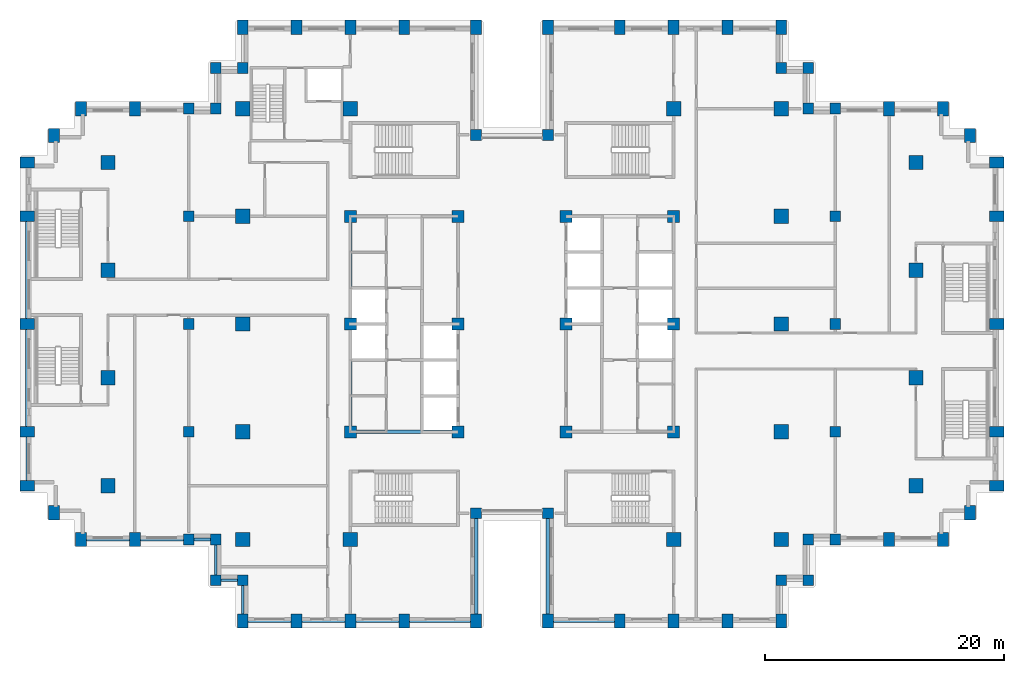
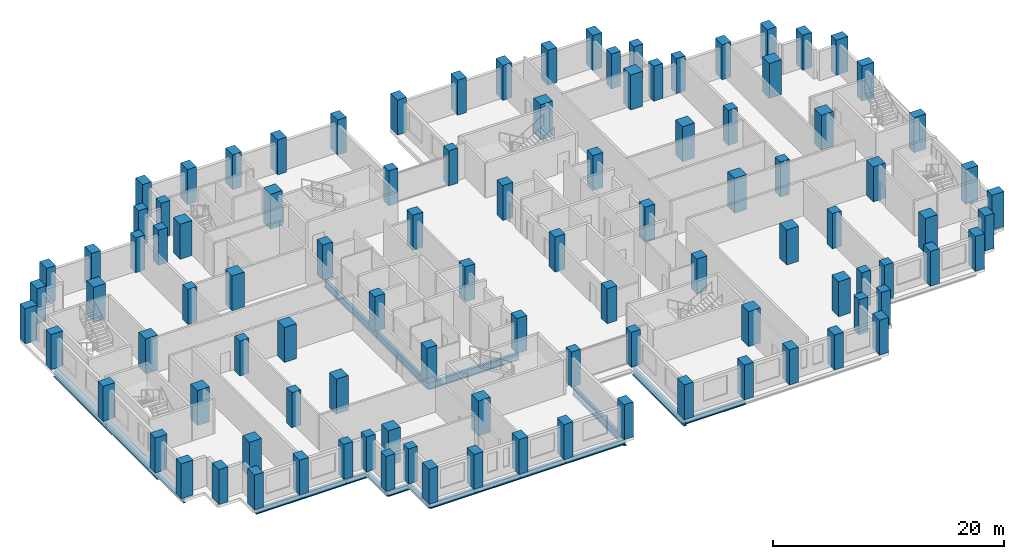
# One storey, part 1 of 15: 102 columns, 19 beams.
"""IFC4 building model written with IfcOpenShell, lengths in metres."""

from ifc_helpers import new_model, si_unit, direction, frame, origin, origin_2d, place, context, subcontext, project, spatial, rectangle, i_section, extrude, material, material_profile, profile_set, type_object, element, save


model = new_model("IFC4")

# Units and contexts
model_context = context("Model", 3, precision=1e-05, world=origin(), true_north=direction((0.0, 1.0)))
body_context = subcontext(model_context, "Body", "Model", "MODEL_VIEW")
ifc_project = project(units=[si_unit("LENGTHUNIT", "METRE"), si_unit("AREAUNIT", "SQUARE_METRE"), si_unit("VOLUMEUNIT", "CUBIC_METRE"), si_unit("PLANEANGLEUNIT", "RADIAN"), si_unit("MASSUNIT", "GRAM", prefix="KILO")], contexts=[model_context])

# Site, building, storey
site_placement = place(None, origin())
site = spatial("IfcSite", under=ifc_project, at=site_placement, CompositionType="ELEMENT")
building_placement = place(site_placement, origin())
building = spatial("IfcBuilding", under=site, at=building_placement, Name="Corbelhall Arena Tower", CompositionType="ELEMENT")
storey_placement = place(building_placement, frame((0.0, 0.0, 84.0)))
storey = spatial("IfcBuildingStorey", under=building, at=storey_placement, Name="L13", CompositionType="ELEMENT", Elevation=84.0)

# Columns
ifc_material_1 = material(Name="Concrete C80/95", Category="concrete")
ifc_material_profile_1 = material_profile(ifc_material_1, rectangle(XDim=1.0, YDim=1.0, at=origin_2d()))
ifc_profile_set_1 = profile_set([ifc_material_profile_1], Name="Concrete C80/95")
column_type_1 = type_object("IfcColumnType", Name="ST-COL-RC 1000x1000", PredefinedType="COLUMN", material=ifc_profile_set_1)
for number, where, z_axis, x_axis, name in (
    (1, (4.5, 0.0, 0.0), (0.0, 0.0, 1.0), (1.0, 0.0, 0.0), "Column KE+0450+0000"),
    (2, (4.5, 9.0, 0.0), (0.0, 0.0, 1.0), (1.0, 0.0, 0.0), "Column KE+0450+0900"),
    (3, (4.5, -9.0, 0.0), (0.0, 0.0, 1.0), (1.0, 0.0, 0.0), "Column KE+0450-0900"),
    (4, (13.5, 0.0, 0.0), (0.0, 0.0, 1.0), (1.0, 0.0, 0.0), "Column KE+1350+0000"),
    (5, (13.5, 9.0, 0.0), (0.0, 0.0, 1.0), (1.0, 0.0, 0.0), "Column KE+1350+0900"),
    (6, (13.5, -9.0, 0.0), (0.0, 0.0, 1.0), (1.0, 0.0, 0.0), "Column KE+1350-0900"),
    (7, (-4.5, 0.0, 0.0), (0.0, 0.0, 1.0), (1.0, 0.0, 0.0), "Column KW-0450+0000"),
    (8, (-4.5, 9.0, 0.0), (0.0, 0.0, 1.0), (1.0, 0.0, 0.0), "Column KW-0450+0900"),
    (9, (-4.5, -9.0, 0.0), (0.0, 0.0, 1.0), (1.0, 0.0, 0.0), "Column KW-0450-0900"),
    (10, (-13.5, 0.0, 0.0), (0.0, 0.0, 1.0), (1.0, 0.0, 0.0), "Column KW-1350+0000"),
    (11, (-13.5, 9.0, 0.0), (0.0, 0.0, 1.0), (1.0, 0.0, 0.0), "Column KW-1350+0900"),
    (12, (-13.5, -9.0, 0.0), (0.0, 0.0, 1.0), (1.0, 0.0, 0.0), "Column KW-1350-0900"),
):
    element("IfcColumn", number, at=place(storey_placement, frame(where, z_axis=z_axis, x_axis=x_axis)), inside=storey, type_object=column_type_1, Name=name, PredefinedType="COLUMN", context=body_context, shape_type="SweptSolid", body=[
        extrude(rectangle(XDim=1.0, YDim=1.0, at=origin_2d()), origin(), (0.0, 0.0, 1.0), 3.699951171875),
    ])
ifc_material_profile_2 = material_profile(ifc_material_1, rectangle(XDim=1.199951171875, YDim=1.199951171875, at=origin_2d()))
ifc_profile_set_2 = profile_set([ifc_material_profile_2], Name="Concrete C80/95")
column_type_2 = type_object("IfcColumnType", Name="ST-COL-RC 1200x1200", PredefinedType="COLUMN", material=ifc_profile_set_2)
for number, where, z_axis, x_axis, name in (
    (13, (-33.75, 4.5, 0.0), (0.0, 0.0, 1.0), (1.0, 0.0, 0.0), "Column FIC+0450"),
    (14, (-33.75, 13.5, 0.0), (0.0, 0.0, 1.0), (1.0, 0.0, 0.0), "Column FIC+1350"),
    (15, (-33.75, -4.5, 0.0), (0.0, 0.0, 1.0), (1.0, 0.0, 0.0), "Column FIC-0450"),
    (16, (-33.75, -13.5, 0.0), (0.0, 0.0, 1.0), (1.0, 0.0, 0.0), "Column FIC-1350"),
    (17, (33.75, 4.5, 0.0), (0.0, 0.0, 1.0), (1.0, 0.0, 0.0), "Column FID+0450"),
    (18, (33.75, 13.5, 0.0), (0.0, 0.0, 1.0), (1.0, 0.0, 0.0), "Column FID+1350"),
    (19, (33.75, -4.5, 0.0), (0.0, 0.0, 1.0), (1.0, 0.0, 0.0), "Column FID-0450"),
    (20, (33.75, -13.5, 0.0), (0.0, 0.0, 1.0), (1.0, 0.0, 0.0), "Column FID-1350"),
    (21, (13.5, 18.0, 0.0), (0.0, 0.0, 1.0), (1.0, 0.0, 0.0), "Column IE13+1800"),
    (22, (13.5, -18.0, 0.0), (0.0, 0.0, 1.0), (1.0, 0.0, 0.0), "Column IE13-1800"),
    (23, (22.5, 0.0, 0.0), (0.0, 0.0, 1.0), (1.0, 0.0, 0.0), "Column IE22+0000"),
    (24, (22.5, 9.0, 0.0), (0.0, 0.0, 1.0), (1.0, 0.0, 0.0), "Column IE22+0900"),
    (25, (22.5, 18.0, 0.0), (0.0, 0.0, 1.0), (1.0, 0.0, 0.0), "Column IE22+1800"),
    (26, (22.5, -9.0, 0.0), (0.0, 0.0, 1.0), (1.0, 0.0, 0.0), "Column IE22-0900"),
    (27, (22.5, -18.0, 0.0), (0.0, 0.0, 1.0), (1.0, 0.0, 0.0), "Column IE22-1800"),
    (28, (-13.5, 18.0, 0.0), (0.0, 0.0, 1.0), (1.0, 0.0, 0.0), "Column IW13+1800"),
    (29, (-13.5, -18.0, 0.0), (0.0, 0.0, 1.0), (1.0, 0.0, 0.0), "Column IW13-1800"),
    (30, (-22.5, 0.0, 0.0), (0.0, 0.0, 1.0), (1.0, 0.0, 0.0), "Column IW22+0000"),
    (31, (-22.5, 9.0, 0.0), (0.0, 0.0, 1.0), (1.0, 0.0, 0.0), "Column IW22+0900"),
    (32, (-22.5, 18.0, 0.0), (0.0, 0.0, 1.0), (1.0, 0.0, 0.0), "Column IW22+1800"),
    (33, (-22.5, -9.0, 0.0), (0.0, 0.0, 1.0), (1.0, 0.0, 0.0), "Column IW22-0900"),
    (34, (-22.5, -18.0, 0.0), (0.0, 0.0, 1.0), (1.0, 0.0, 0.0), "Column IW22-1800"),
):
    element("IfcColumn", number, at=place(storey_placement, frame(where, z_axis=z_axis, x_axis=x_axis)), inside=storey, type_object=column_type_2, Name=name, PredefinedType="COLUMN", context=body_context, shape_type="SweptSolid", body=[
        extrude(rectangle(XDim=1.199951171875, YDim=1.199951171875, at=origin_2d()), origin(), (0.0, 0.0, 1.0), 3.699951171875),
    ])
ifc_material_profile_3 = material_profile(ifc_material_1, rectangle(XDim=0.89990234375, YDim=1.199951171875, at=origin_2d()))
ifc_profile_set_3 = profile_set([ifc_material_profile_3], Name="Concrete C80/95")
column_type_3 = type_object("IfcColumnType", Name="ST-COL-RC 900x1200", PredefinedType="COLUMN", material=ifc_profile_set_3)
for number, where, z_axis, x_axis, name in (
    (35, (-40.5, 0.0, 0.0), (0.0, 0.0, 1.0), (0.0, 1.0, 0.0), "Column FC+0000"),
    (36, (-40.5, 9.0, 0.0), (0.0, 0.0, 1.0), (0.0, 1.0, 0.0), "Column FC+0900"),
    (37, (-40.5, 13.5, 0.0), (0.0, 0.0, 1.0), (0.0, 1.0, 0.0), "Column FC+1350"),
    (38, (-40.5, -9.0, 0.0), (0.0, 0.0, 1.0), (0.0, 1.0, 0.0), "Column FC-0900"),
    (39, (-40.5, -13.5, 0.0), (0.0, 0.0, 1.0), (0.0, 1.0, 0.0), "Column FC-1350"),
    (40, (-38.25, 15.75, 0.0), (0.0, 0.0, 1.0), (1.0, 0.0, 0.0), "Column FCCN"),
    (41, (-38.25, -15.75, 0.0), (0.0, 0.0, 1.0), (1.0, 0.0, 0.0), "Column FCCS"),
    (42, (-31.5, 18.0, 0.0), (0.0, 0.0, 1.0), (1.0, 0.0, 0.0), "Column FCN3150"),
    (43, (-36.0, 18.0, 0.0), (0.0, 0.0, 1.0), (1.0, 0.0, 0.0), "Column FCN3600"),
    (44, (-31.5, -18.0, 0.0), (0.0, 0.0, 1.0), (1.0, 0.0, 0.0), "Column FCS3150"),
    (45, (-36.0, -18.0, 0.0), (0.0, 0.0, 1.0), (1.0, 0.0, 0.0), "Column FCS3600"),
    (46, (40.5, 0.0, 0.0), (0.0, 0.0, 1.0), (0.0, 1.0, 0.0), "Column FD+0000"),
    (47, (40.5, 9.0, 0.0), (0.0, 0.0, 1.0), (0.0, 1.0, 0.0), "Column FD+0900"),
    (48, (40.5, 13.5, 0.0), (0.0, 0.0, 1.0), (0.0, 1.0, 0.0), "Column FD+1350"),
    (49, (40.5, -9.0, 0.0), (0.0, 0.0, 1.0), (0.0, 1.0, 0.0), "Column FD-0900"),
    (50, (40.5, -13.5, 0.0), (0.0, 0.0, 1.0), (0.0, 1.0, 0.0), "Column FD-1350"),
    (51, (38.25, 15.75, 0.0), (0.0, 0.0, 1.0), (1.0, 0.0, 0.0), "Column FDCN"),
    (52, (38.25, -15.75, 0.0), (0.0, 0.0, 1.0), (1.0, 0.0, 0.0), "Column FDCS"),
    (53, (31.5, 18.0, 0.0), (0.0, 0.0, 1.0), (1.0, 0.0, 0.0), "Column FDN3150"),
    (54, (36.0, 18.0, 0.0), (0.0, 0.0, 1.0), (1.0, 0.0, 0.0), "Column FDN3600"),
    (55, (31.5, -18.0, 0.0), (0.0, 0.0, 1.0), (1.0, 0.0, 0.0), "Column FDS3150"),
    (56, (36.0, -18.0, 0.0), (0.0, 0.0, 1.0), (1.0, 0.0, 0.0), "Column FDS3600"),
    (57, (3.0, 24.800048828125, 0.0), (0.0, 0.0, 1.0), (1.0, 0.0, 0.0), "Column PNE0300"),
    (58, (9.0, 24.800048828125, 0.0), (0.0, 0.0, 1.0), (1.0, 0.0, 0.0), "Column PNE0900"),
    (59, (13.5, 24.800048828125, 0.0), (0.0, 0.0, 1.0), (1.0, 0.0, 0.0), "Column PNE1350"),
    (60, (18.0, 24.800048828125, 0.0), (0.0, 0.0, 1.0), (1.0, 0.0, 0.0), "Column PNE1800"),
    (61, (22.5, 24.800048828125, 0.0), (0.0, 0.0, 1.0), (1.0, 0.0, 0.0), "Column PNE2250"),
    (62, (-3.0, 24.800048828125, 0.0), (0.0, 0.0, 1.0), (1.0, 0.0, 0.0), "Column PNW0300"),
    (63, (-9.0, 24.800048828125, 0.0), (0.0, 0.0, 1.0), (1.0, 0.0, 0.0), "Column PNW0900"),
    (64, (-13.5, 24.800048828125, 0.0), (0.0, 0.0, 1.0), (1.0, 0.0, 0.0), "Column PNW1350"),
    (65, (-18.0, 24.800048828125, 0.0), (0.0, 0.0, 1.0), (1.0, 0.0, 0.0), "Column PNW1800"),
    (66, (-22.5, 24.800048828125, 0.0), (0.0, 0.0, 1.0), (1.0, 0.0, 0.0), "Column PNW2250"),
    (67, (3.0, -24.800048828125, 0.0), (0.0, 0.0, 1.0), (1.0, 0.0, 0.0), "Column PSE0300"),
    (68, (9.0, -24.800048828125, 0.0), (0.0, 0.0, 1.0), (1.0, 0.0, 0.0), "Column PSE0900"),
    (69, (13.5, -24.800048828125, 0.0), (0.0, 0.0, 1.0), (1.0, 0.0, 0.0), "Column PSE1350"),
    (70, (18.0, -24.800048828125, 0.0), (0.0, 0.0, 1.0), (1.0, 0.0, 0.0), "Column PSE1800"),
    (71, (22.5, -24.800048828125, 0.0), (0.0, 0.0, 1.0), (1.0, 0.0, 0.0), "Column PSE2250"),
    (72, (-3.0, -24.800048828125, 0.0), (0.0, 0.0, 1.0), (1.0, 0.0, 0.0), "Column PSW0300"),
    (73, (-9.0, -24.800048828125, 0.0), (0.0, 0.0, 1.0), (1.0, 0.0, 0.0), "Column PSW0900"),
    (74, (-13.5, -24.800048828125, 0.0), (0.0, 0.0, 1.0), (1.0, 0.0, 0.0), "Column PSW1350"),
    (75, (-18.0, -24.800048828125, 0.0), (0.0, 0.0, 1.0), (1.0, 0.0, 0.0), "Column PSW1800"),
    (76, (-22.5, -24.800048828125, 0.0), (0.0, 0.0, 1.0), (1.0, 0.0, 0.0), "Column PSW2250"),
):
    element("IfcColumn", number, at=place(storey_placement, frame(where, z_axis=z_axis, x_axis=x_axis)), inside=storey, type_object=column_type_3, Name=name, PredefinedType="COLUMN", context=body_context, shape_type="SweptSolid", body=[
        extrude(rectangle(XDim=0.89990234375, YDim=1.199951171875, at=origin_2d()), origin(), (0.0, 0.0, 1.0), 3.699951171875),
    ])
ifc_material_profile_4 = material_profile(ifc_material_1, rectangle(XDim=0.89990234375, YDim=0.89990234375, at=origin_2d()))
ifc_profile_set_4 = profile_set([ifc_material_profile_4], Name="Concrete C80/95")
column_type_4 = type_object("IfcColumnType", Name="ST-COL-RC 900x900", PredefinedType="COLUMN", material=ifc_profile_set_4)
for number, where, z_axis, x_axis, name in (
    (77, (27.0, 0.0, 0.0), (0.0, 0.0, 1.0), (1.0, 0.0, 0.0), "Column PE+0000"),
    (78, (27.0, 9.0, 0.0), (0.0, 0.0, 1.0), (1.0, 0.0, 0.0), "Column PE+0900"),
    (79, (27.0, 18.0, 0.0), (0.0, 0.0, 1.0), (1.0, 0.0, 0.0), "Column PE+1800"),
    (80, (27.0, -9.0, 0.0), (0.0, 0.0, 1.0), (1.0, 0.0, 0.0), "Column PE-0900"),
    (81, (27.0, -18.0, 0.0), (0.0, 0.0, 1.0), (1.0, 0.0, 0.0), "Column PE-1800"),
    (82, (-27.0, 0.0, 0.0), (0.0, 0.0, 1.0), (1.0, 0.0, 0.0), "Column PW+0000"),
    (83, (-27.0, 9.0, 0.0), (0.0, 0.0, 1.0), (1.0, 0.0, 0.0), "Column PW+0900"),
    (84, (-27.0, 18.0, 0.0), (0.0, 0.0, 1.0), (1.0, 0.0, 0.0), "Column PW+1800"),
    (85, (-27.0, -9.0, 0.0), (0.0, 0.0, 1.0), (1.0, 0.0, 0.0), "Column PW-0900"),
    (86, (-27.0, -18.0, 0.0), (0.0, 0.0, 1.0), (1.0, 0.0, 0.0), "Column PW-1800"),
    (87, (3.0, 15.800048828125, 0.0), (0.0, 0.0, 1.0), (1.0, 0.0, 0.0), "Column SLNE2"),
    (88, (-3.0, 15.800048828125, 0.0), (0.0, 0.0, 1.0), (1.0, 0.0, 0.0), "Column SLNW2"),
    (89, (3.0, -15.800048828125, 0.0), (0.0, 0.0, 1.0), (1.0, 0.0, 0.0), "Column SLSE2"),
    (90, (-3.0, -15.800048828125, 0.0), (0.0, 0.0, 1.0), (1.0, 0.0, 0.0), "Column SLSW2"),
    (91, (22.5, 21.39990234375, 0.0), (0.0, 0.0, 1.0), (1.0, 0.0, 0.0), "Column XNE1"),
    (92, (24.75, 21.39990234375, 0.0), (0.0, 0.0, 1.0), (1.0, 0.0, 0.0), "Column XNE2"),
    (93, (24.75, 18.0, 0.0), (0.0, 0.0, 1.0), (1.0, 0.0, 0.0), "Column XNE3"),
    (94, (-22.5, 21.39990234375, 0.0), (0.0, 0.0, 1.0), (1.0, 0.0, 0.0), "Column XNW1"),
    (95, (-24.75, 21.39990234375, 0.0), (0.0, 0.0, 1.0), (1.0, 0.0, 0.0), "Column XNW2"),
    (96, (-24.75, 18.0, 0.0), (0.0, 0.0, 1.0), (1.0, 0.0, 0.0), "Column XNW3"),
    (97, (22.5, -21.39990234375, 0.0), (0.0, 0.0, 1.0), (1.0, 0.0, 0.0), "Column XSE1"),
    (98, (24.75, -21.39990234375, 0.0), (0.0, 0.0, 1.0), (1.0, 0.0, 0.0), "Column XSE2"),
    (99, (24.75, -18.0, 0.0), (0.0, 0.0, 1.0), (1.0, 0.0, 0.0), "Column XSE3"),
    (100, (-22.5, -21.39990234375, 0.0), (0.0, 0.0, 1.0), (1.0, 0.0, 0.0), "Column XSW1"),
    (101, (-24.75, -21.39990234375, 0.0), (0.0, 0.0, 1.0), (1.0, 0.0, 0.0), "Column XSW2"),
    (102, (-24.75, -18.0, 0.0), (0.0, 0.0, 1.0), (1.0, 0.0, 0.0), "Column XSW3"),
):
    element("IfcColumn", number, at=place(storey_placement, frame(where, z_axis=z_axis, x_axis=x_axis)), inside=storey, type_object=column_type_4, Name=name, PredefinedType="COLUMN", context=body_context, shape_type="SweptSolid", body=[
        extrude(rectangle(XDim=0.89990234375, YDim=0.89990234375, at=origin_2d()), origin(), (0.0, 0.0, 1.0), 3.699951171875),
    ])

# Beams
ifc_material_2 = material(Name="Steel ASTM A992 Gr50", Category="steel")
ifc_material_profile_5 = material_profile(ifc_material_2, i_section(OverallWidth=0.2666015625, OverallDepth=0.761962890625, WebThickness=0.014404296875, FlangeThickness=0.021484375, at=origin_2d()))
ifc_profile_set_5 = profile_set([ifc_material_profile_5], Name="Steel ASTM A992 Gr50")
beam_type_1 = type_object("IfcBeamType", Name="ST-BEAM-W30x116", PredefinedType="BEAM", material=ifc_profile_set_5)
for number, where, z_axis, x_axis, name in (
    (103, (-13.5, -9.0, -0.680908203125), (0.0, 1.0, 0.0), (-1.0, 0.0, 0.0), "Beam CEW 1"),
    (104, (-13.5, 0.0, -0.680908203125), (0.0, 1.0, 0.0), (-1.0, 0.0, 0.0), "Beam CEW 2"),
    (105, (-13.5, -9.0, -0.680908203125), (1.0, 0.0, 0.0), (0.0, 1.0, 0.0), "Beam CEW 5"),
):
    element("IfcBeam", number, at=place(storey_placement, frame(where, z_axis=z_axis, x_axis=x_axis)), inside=storey, type_object=beam_type_1, Name=name, PredefinedType="BEAM", context=body_context, shape_type="SweptSolid", body=[
        extrude(i_section(OverallWidth=0.2666015625, OverallDepth=0.761962890625, WebThickness=0.014404296875, FlangeThickness=0.021484375, at=origin_2d()), origin(), (0.0, 0.0, 1.0), 9.0),
    ])
ifc_material_profile_6 = material_profile(ifc_material_2, i_section(OverallWidth=0.23046875, OverallDepth=0.6171875, WebThickness=0.01318359375, FlangeThickness=0.022216796875, at=origin_2d()))
ifc_profile_set_6 = profile_set([ifc_material_profile_6], Name="Steel ASTM A992 Gr50")
beam_type_2 = type_object("IfcBeamType", Name="ST-SPANDREL-W24x94", PredefinedType="SPANDREL", material=ifc_profile_set_6)
for number, where, z_axis, x_axis, name in (
    (106, (-40.5, -13.5, -0.608642578125), (0.0, 1.0, 0.0), (-1.0, 0.0, 0.0), "Beam SP 4"),
    (107, (-31.5, -18.0, -0.608642578125), (-1.0, 0.0, 0.0), (0.0, -1.0, 0.0), "Beam SP 7"),
):
    element("IfcBeam", number, at=place(storey_placement, frame(where, z_axis=z_axis, x_axis=x_axis)), inside=storey, type_object=beam_type_2, Name=name, PredefinedType="SPANDREL", context=body_context, shape_type="SweptSolid", body=[
        extrude(i_section(OverallWidth=0.23046875, OverallDepth=0.6171875, WebThickness=0.01318359375, FlangeThickness=0.022216796875, at=origin_2d()), origin(), (0.0, 0.0, 1.0), 4.5),
    ])
for number, where, z_axis, x_axis, name in (
    (108, (9.0, -24.800048828125, -0.608642578125), (-1.0, 0.0, 0.0), (0.0, -1.0, 0.0), "Beam SP 28"),
    (109, (-3.0, -24.800048828125, -0.608642578125), (-1.0, 0.0, 0.0), (0.0, -1.0, 0.0), "Beam SP 32"),
):
    element("IfcBeam", number, at=place(storey_placement, frame(where, z_axis=z_axis, x_axis=x_axis)), inside=storey, type_object=beam_type_2, Name=name, PredefinedType="SPANDREL", context=body_context, shape_type="SweptSolid", body=[
        extrude(i_section(OverallWidth=0.23046875, OverallDepth=0.6171875, WebThickness=0.01318359375, FlangeThickness=0.022216796875, at=origin_2d()), origin(), (0.0, 0.0, 1.0), 6.0),
    ])
for number, where, z_axis, x_axis, name in (
    (110, (-9.0, -24.800048828125, -0.608642578125), (-1.0, 0.0, 0.0), (0.0, -1.0, 0.0), "Beam SP 33"),
    (111, (-13.5, -24.800048828125, -0.608642578125), (-1.0, 0.0, 0.0), (0.0, -1.0, 0.0), "Beam SP 34"),
    (112, (-18.0, -24.800048828125, -0.608642578125), (-1.0, 0.0, 0.0), (0.0, -1.0, 0.0), "Beam SP 35"),
):
    element("IfcBeam", number, at=place(storey_placement, frame(where, z_axis=z_axis, x_axis=x_axis)), inside=storey, type_object=beam_type_2, Name=name, PredefinedType="SPANDREL", context=body_context, shape_type="SweptSolid", body=[
        extrude(i_section(OverallWidth=0.23046875, OverallDepth=0.6171875, WebThickness=0.01318359375, FlangeThickness=0.022216796875, at=origin_2d()), origin(), (0.0, 0.0, 1.0), 4.5),
    ])
beam_1_placement = place(storey_placement, frame((-22.5, -24.800048828125, -0.608642578125), z_axis=(0.0, 1.0, 0.0), x_axis=(-1.0, 0.0, 0.0)))
element("IfcBeam", 113, at=beam_1_placement, inside=storey, type_object=beam_type_2, Name="Beam SP 36", PredefinedType="SPANDREL", context=body_context, shape_type="SweptSolid", body=[
    extrude(i_section(OverallWidth=0.23046875, OverallDepth=0.6171875, WebThickness=0.01318359375, FlangeThickness=0.022216796875, at=origin_2d()), origin(), (0.0, 0.0, 1.0), 3.400146484375),
])
beam_2_placement = place(storey_placement, frame((-27.0, -18.0, -0.608642578125), z_axis=(-1.0, 0.0, 0.0), x_axis=(0.0, -1.0, 0.0)))
element("IfcBeam", 114, at=beam_2_placement, inside=storey, type_object=beam_type_2, Name="Beam SP 38", PredefinedType="SPANDREL", context=body_context, shape_type="SweptSolid", body=[
    extrude(i_section(OverallWidth=0.23046875, OverallDepth=0.6171875, WebThickness=0.01318359375, FlangeThickness=0.022216796875, at=origin_2d()), origin(), (0.0, 0.0, 1.0), 4.5),
])
beam_3_placement = place(storey_placement, frame((-22.5, -21.39990234375, -0.608642578125), z_axis=(-1.0, 0.0, 0.0), x_axis=(0.0, -1.0, 0.0)))
element("IfcBeam", 115, at=beam_3_placement, inside=storey, type_object=beam_type_2, Name="Beam SP 52", PredefinedType="SPANDREL", context=body_context, shape_type="SweptSolid", body=[
    extrude(i_section(OverallWidth=0.23046875, OverallDepth=0.6171875, WebThickness=0.01318359375, FlangeThickness=0.022216796875, at=origin_2d()), origin(), (0.0, 0.0, 1.0), 2.25),
])
beam_4_placement = place(storey_placement, frame((-24.75, -21.39990234375, -0.608642578125), z_axis=(0.0, 1.0, 0.0), x_axis=(-1.0, 0.0, 0.0)))
element("IfcBeam", 116, at=beam_4_placement, inside=storey, type_object=beam_type_2, Name="Beam SP 53", PredefinedType="SPANDREL", context=body_context, shape_type="SweptSolid", body=[
    extrude(i_section(OverallWidth=0.23046875, OverallDepth=0.6171875, WebThickness=0.01318359375, FlangeThickness=0.022216796875, at=origin_2d()), origin(), (0.0, 0.0, 1.0), 3.39990234375),
])
beam_5_placement = place(storey_placement, frame((-24.75, -18.0, -0.608642578125), z_axis=(-1.0, 0.0, 0.0), x_axis=(0.0, -1.0, 0.0)))
element("IfcBeam", 117, at=beam_5_placement, inside=storey, type_object=beam_type_2, Name="Beam SP 54", PredefinedType="SPANDREL", context=body_context, shape_type="SweptSolid", body=[
    extrude(i_section(OverallWidth=0.23046875, OverallDepth=0.6171875, WebThickness=0.01318359375, FlangeThickness=0.022216796875, at=origin_2d()), origin(), (0.0, 0.0, 1.0), 2.25),
])
ifc_material_profile_7 = material_profile(ifc_material_2, i_section(OverallWidth=0.2919921875, OverallDepth=0.845703125, WebThickness=0.015380859375, FlangeThickness=0.0244140625, at=origin_2d()))
ifc_profile_set_7 = profile_set([ifc_material_profile_7], Name="Steel ASTM A992 Gr50")
beam_type_3 = type_object("IfcBeamType", Name="ST-SPANDREL-W33x141", PredefinedType="SPANDREL", material=ifc_profile_set_7)
for number, where, z_axis, x_axis, name in (
    (118, (-40.5, 0.0, -0.722900390625), (0.0, 1.0, 0.0), (-1.0, 0.0, 0.0), "Beam SP 1"),
    (119, (-40.5, -9.0, -0.722900390625), (0.0, 1.0, 0.0), (-1.0, 0.0, 0.0), "Beam SP 3"),
    (120, (3.0, -24.800048828125, -0.722900390625), (0.0, 1.0, 0.0), (-1.0, 0.0, 0.0), "Beam SP 27"),
    (121, (-3.0, -15.800048828125, -0.722900390625), (0.0, -1.0, 0.0), (1.0, 0.0, 0.0), "Beam SP 42"),
):
    element("IfcBeam", number, at=place(storey_placement, frame(where, z_axis=z_axis, x_axis=x_axis)), inside=storey, type_object=beam_type_3, Name=name, PredefinedType="SPANDREL", context=body_context, shape_type="SweptSolid", body=[
        extrude(i_section(OverallWidth=0.2919921875, OverallDepth=0.845703125, WebThickness=0.015380859375, FlangeThickness=0.0244140625, at=origin_2d()), origin(), (0.0, 0.0, 1.0), 9.0),
    ])

save(model, "model.ifc")
